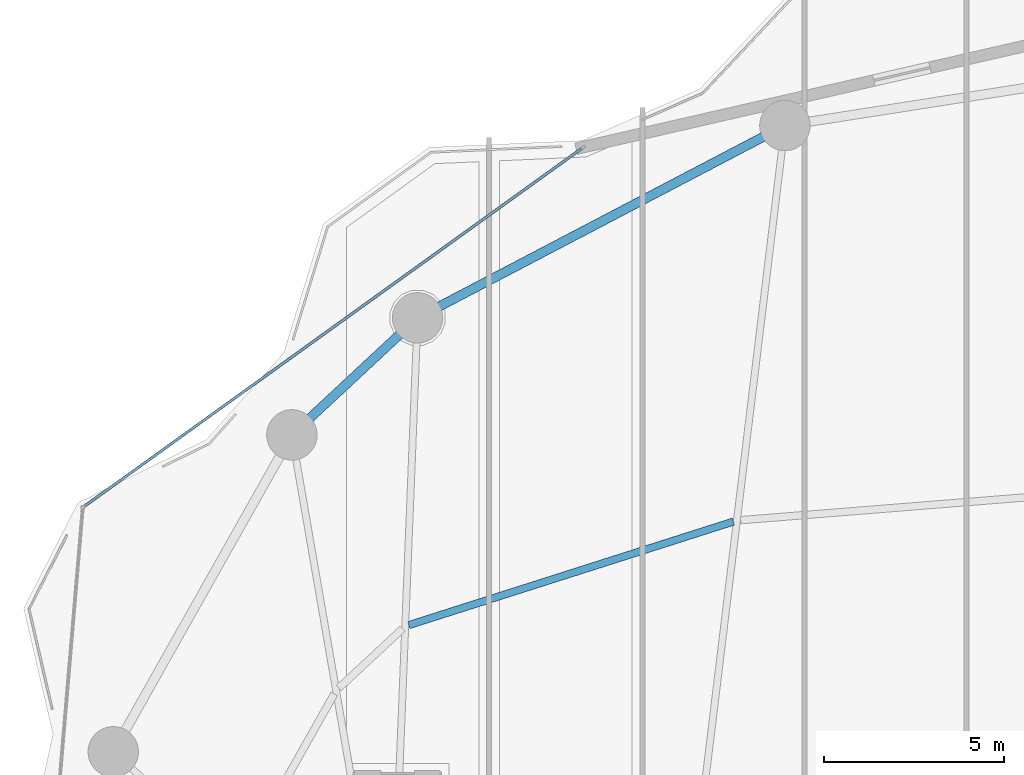
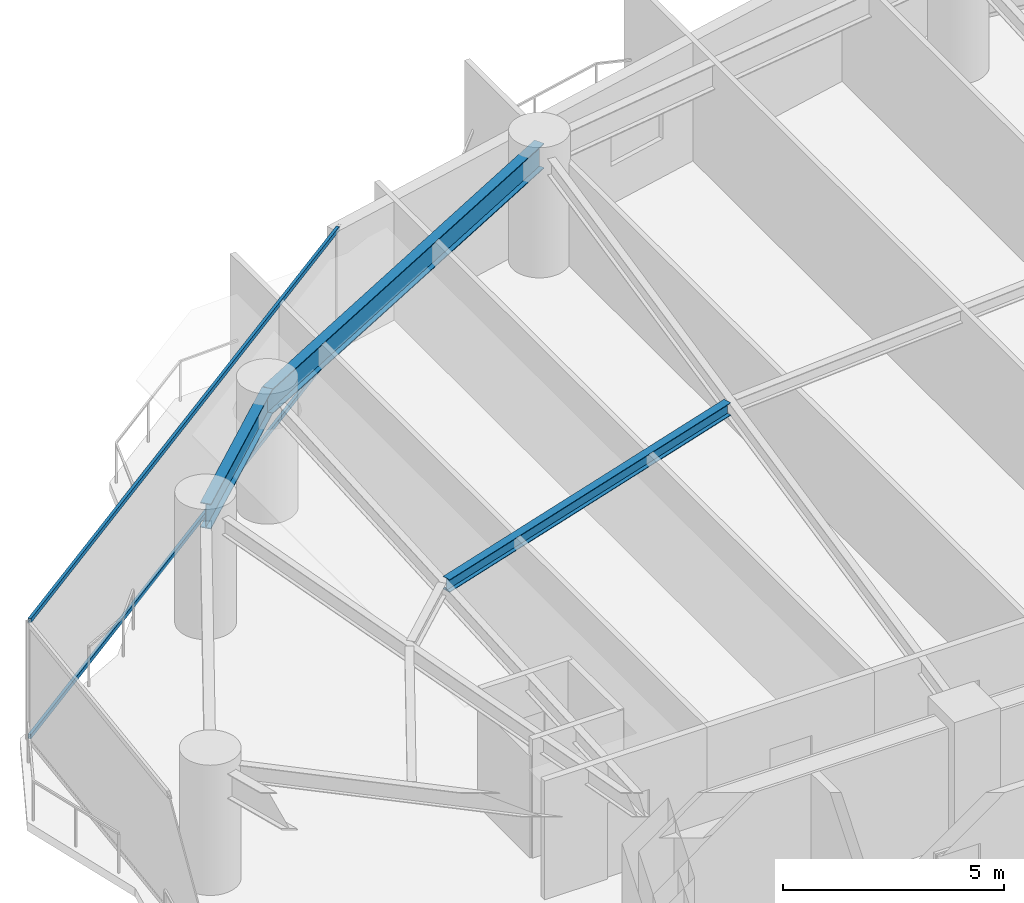
# One storey, part 18 of 30: 3 beams, 2 members, 1 element without a shape of its own.
"""IFC4 building model written with IfcOpenShell, lengths in metres."""

from ifc_helpers import new_model, si_unit, direction, frame, origin, origin_2d, place, context, subcontext, project, spatial, hollow_rectangle, i_section, extrude, material, layer, layer_set, material_profile, profile_set, type_object, element, aggregate, save


model = new_model("IFC4")

# Units and contexts
model_context = context("Model", 3, precision=1e-05, world=origin(), true_north=direction((0.0, 1.0)))
body_context = subcontext(model_context, "Body", "Model", "MODEL_VIEW")
ifc_project = project(units=[si_unit("LENGTHUNIT", "METRE"), si_unit("AREAUNIT", "SQUARE_METRE"), si_unit("VOLUMEUNIT", "CUBIC_METRE"), si_unit("PLANEANGLEUNIT", "RADIAN"), si_unit("MASSUNIT", "GRAM", prefix="KILO")], contexts=[model_context])

# Site, building, storey
site_placement = place(None, origin())
site = spatial("IfcSite", under=ifc_project, at=site_placement, CompositionType="ELEMENT")
building_placement = place(site_placement, origin())
building = spatial("IfcBuilding", under=site, at=building_placement, Name="Kazevale Care Tower and Concert Hall", CompositionType="ELEMENT")
storey_placement = place(building_placement, frame((0.0, 0.0, 88.800048828125)))
storey = spatial("IfcBuildingStorey", under=building, at=storey_placement, Name="L23", CompositionType="ELEMENT", Elevation=88.800048828125)

# Curtain wall, members
ifc_material_1 = material(Name="Aluminium 6063-T6 and Low-E Glass", Category="aluminium")
ifc_layer = layer(ifc_material_1, 0.179931640625)
ifc_layer_set = layer_set([ifc_layer], Name="Aluminium 6063-T6 and Low-E Glass")
curtain_wall_type = type_object("IfcCurtainWallType", Name="Convex Recessed Sunroom Curtain Wall CW-3", PredefinedType="NOTDEFINED", material=ifc_layer_set)
curtain_wall_placement = place(storey_placement, origin())
curtain_wall = element("IfcCurtainWall", 1, at=curtain_wall_placement, inside=storey, type_object=curtain_wall_type, Name="cw:L23:f14", PredefinedType="NOTDEFINED")
ifc_material_2 = material(Name="Aluminium 6063-T6", Category="aluminium")
ifc_material_profile_1 = material_profile(ifc_material_2, hollow_rectangle(XDim=0.074951171875, YDim=0.1201171875, WallThickness=0.00390625, at=origin_2d()), Name="ALU75x120x4")
ifc_profile_set_1 = profile_set([ifc_material_profile_1], Name="Aluminium 6063-T6")
member_type = type_object("IfcMemberType", Name="CW-3 Transom ALU75x120x4", PredefinedType="USERDEFINED", material=ifc_profile_set_1)
member_1_placement = place(storey_placement, frame((13.52490234375, 50.208740234375, 0.037353515625), z_axis=(0.811758858834, 0.583992769737, 0.0), x_axis=(-0.583992769737, 0.811758858834, 0.0)))
member_1 = element("IfcMember", 2, at=member_1_placement, type_object=member_type, Name="CW-3 transom 1.1", ObjectType="TRANSOM", PredefinedType="USERDEFINED", context=body_context, shape_type="SweptSolid", body=[
    extrude(hollow_rectangle(XDim=0.074951171875, YDim=0.1201171875, WallThickness=0.00390625, at=origin_2d()), origin(), (0.0, 0.0, 1.0), 16.990478515625),
])
member_2_placement = place(storey_placement, frame((13.52490234375, 50.208740234375, 3.242431640625), z_axis=(0.811758858834, 0.583992769737, 0.0), x_axis=(-0.583992769737, 0.811758858834, 0.0)))
member_2 = element("IfcMember", 3, at=member_2_placement, type_object=member_type, Name="CW-3 transom 1.2", ObjectType="TRANSOM", PredefinedType="USERDEFINED", context=body_context, shape_type="SweptSolid", body=[
    extrude(hollow_rectangle(XDim=0.074951171875, YDim=0.1201171875, WallThickness=0.00390625, at=origin_2d()), origin(), (0.0, 0.0, 1.0), 16.990478515625),
])
aggregate(curtain_wall, [member_1, member_2])

# Beams
ifc_material_3 = material(Name="Steel ASTM A572 Gr 50", Category="steel")
ifc_material_profile_2 = material_profile(ifc_material_3, i_section(OverallWidth=0.205078125, OverallDepth=0.35400390625, WebThickness=0.009521484375, FlangeThickness=0.016845703125, at=origin_2d()), Name="W360x79")
ifc_profile_set_2 = profile_set([ifc_material_profile_2], Name="Steel ASTM A572 Gr 50")
beam_type_1 = type_object("IfcBeamType", Name="Secondary Floor Joist W360x79", PredefinedType="JOIST", material=ifc_profile_set_2)
beam_1_placement = place(storey_placement, frame((31.528076171875, 49.77197265625, 3.10302734375), z_axis=(-0.9527054955, -0.303895111584, 0.0), x_axis=(0.303895111584, -0.9527054955, 0.0)))
element("IfcBeam", 4, at=beam_1_placement, inside=storey, type_object=beam_type_1, Name="beam:L23:joist:06", PredefinedType="JOIST", context=body_context, shape_type="SweptSolid", body=[
    extrude(i_section(OverallWidth=0.205078125, OverallDepth=0.35400390625, WebThickness=0.009521484375, FlangeThickness=0.016845703125, at=origin_2d()), origin(), (0.0, 0.0, 1.0), 9.457275390625),
])
ifc_material_profile_3 = material_profile(ifc_material_3, i_section(OverallWidth=0.256103515625, OverallDepth=0.693115234375, WebThickness=0.014404296875, FlangeThickness=0.023681640625, at=origin_2d()), Name="W690x170")
ifc_profile_set_3 = profile_set([ifc_material_profile_3], Name="Steel ASTM A572 Gr 50")
beam_type_2 = type_object("IfcBeamType", Name="Waist Ring Beam W690x170", PredefinedType="BEAM", material=ifc_profile_set_3)
beam_2_placement = place(storey_placement, frame((32.9599609375, 60.77001953125, 2.933349609375), z_axis=(-0.885929466679, -0.463819986708, 0.0), x_axis=(0.463819986708, -0.885929466679, 0.0)))
element("IfcBeam", 5, at=beam_2_placement, inside=storey, type_object=beam_type_2, Name="beam:L23:ring:06", PredefinedType="BEAM", context=body_context, shape_type="SweptSolid", body=[
    extrude(i_section(OverallWidth=0.256103515625, OverallDepth=0.693115234375, WebThickness=0.014404296875, FlangeThickness=0.023681640625, at=origin_2d()), origin(), (0.0, 0.0, 1.0), 11.51318359375),
])
beam_3_placement = place(storey_placement, frame((22.760009765625, 55.429931640625, 2.933349609375), z_axis=(-0.731820896228, -0.681497010884, 0.0), x_axis=(0.681497010884, -0.731820896228, 0.0)))
element("IfcBeam", 6, at=beam_3_placement, inside=storey, type_object=beam_type_2, Name="beam:L23:ring:07", PredefinedType="BEAM", context=body_context, shape_type="SweptSolid", body=[
    extrude(i_section(OverallWidth=0.256103515625, OverallDepth=0.693115234375, WebThickness=0.014404296875, FlangeThickness=0.023681640625, at=origin_2d()), origin(), (0.0, 0.0, 1.0), 4.768798828125),
])

save(model, "model.ifc")
